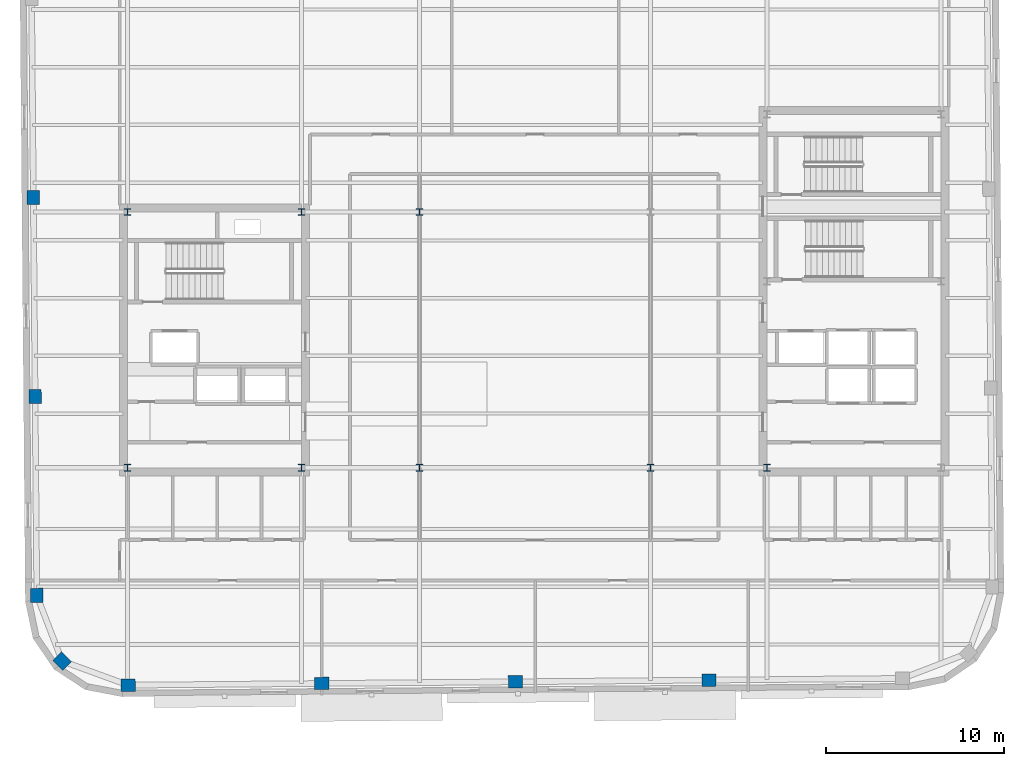
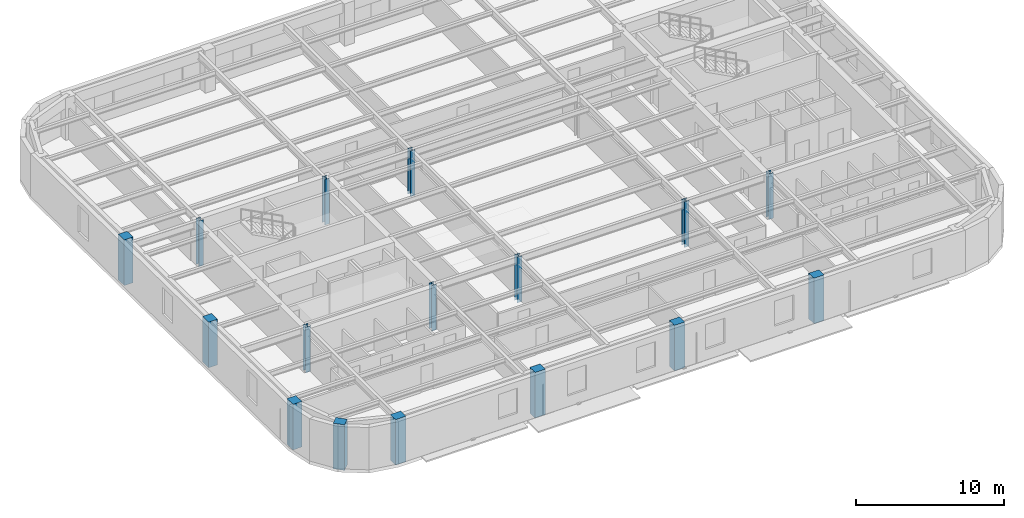
# One storey, part 1 of 13: 16 columns.
"""IFC4 building model written with IfcOpenShell, lengths in metres."""

from ifc_helpers import new_model, si_unit, direction, frame, origin, origin_2d, place, context, subcontext, project, spatial, rectangle, i_section, extrude, material, material_profile, profile_set, type_object, element, save


model = new_model("IFC4")

# Units and contexts
model_context = context("Model", 3, precision=1e-05, world=origin(), true_north=direction((0.0, 1.0)))
body_context = subcontext(model_context, "Body", "Model", "MODEL_VIEW")
ifc_project = project(units=[si_unit("LENGTHUNIT", "METRE"), si_unit("AREAUNIT", "SQUARE_METRE"), si_unit("VOLUMEUNIT", "CUBIC_METRE"), si_unit("PLANEANGLEUNIT", "RADIAN"), si_unit("MASSUNIT", "GRAM", prefix="KILO")], contexts=[model_context])

# Site, building, storey
site_placement = place(None, origin())
site = spatial("IfcSite", under=ifc_project, at=site_placement, CompositionType="ELEMENT")
building_placement = place(site_placement, origin())
building = spatial("IfcBuilding", under=site, at=building_placement, Name="Kolvaren Arena Tower", CompositionType="ELEMENT")
storey_placement = place(building_placement, frame((0.0, 0.0, 278.64990234375)))
storey = spatial("IfcBuildingStorey", under=building, at=storey_placement, Name="L68", CompositionType="ELEMENT", Elevation=278.64990234375)

# Columns
ifc_material_1 = material(Name="Precast concrete C50/60", Category="concrete")
ifc_material_profile_1 = material_profile(ifc_material_1, rectangle(XDim=0.800048828125, YDim=0.699951171875, at=origin_2d()), Name="RC-800x700")
ifc_profile_set_1 = profile_set([ifc_material_profile_1], Name="Precast concrete C50/60")
column_type_1 = type_object("IfcColumnType", Name="EXCOL-Z5", PredefinedType="COLUMN", material=ifc_profile_set_1)
for number, where, z_axis, x_axis, name in (
    (1, (14.591796875, 7.210693359375, -0.27001953125), (0.0, 0.0, 1.0), (0.999961923064, 0.008726535498, 0.0), "Exoskeleton Perimeter Column 01 (L68)"),
    (2, (25.491455078125, 7.3056640625, -0.27001953125), (0.0, 0.0, 1.0), (0.999961923064, 0.008726535498, 0.0), "Exoskeleton Perimeter Column 02 (L68)"),
    (3, (36.39111328125, 7.40087890625, -0.27001953125), (0.0, 0.0, 1.0), (0.999961923064, 0.008726535498, 0.0), "Exoskeleton Perimeter Column 03 (L68)"),
    (4, (47.290771484375, 7.49609375, -0.27001953125), (0.0, 0.0, 1.0), (0.999961923064, 0.008726535498, 0.0), "Exoskeleton Perimeter Column 04 (L68)"),
    (5, (9.252197265625, 34.6650390625, -0.27001953125), (0.0, 0.0, 1.0), (-0.008726535498, 0.999961923064, 0.0), "Exoskeleton Perimeter Column 19 (L68)"),
    (6, (9.349853515625, 23.465576171875, -0.27001953125), (0.0, 0.0, 1.0), (-0.008726535498, 0.999961923064, 0.0), "Exoskeleton Perimeter Column 20 (L68)"),
    (7, (9.447509765625, 12.265869140625, -0.27001953125), (0.0, 0.0, 1.0), (-0.008726535498, 0.999961923064, 0.0), "Exoskeleton Perimeter Column 21 (L68)"),
    (8, (10.87109375, 8.5693359375, -0.27001953125), (0.0, 0.0, 1.0), (-0.713250449154, 0.7009092643, 0.0), "Exoskeleton Perimeter Column 22 (L68)"),
):
    element("IfcColumn", number, at=place(storey_placement, frame(where, z_axis=z_axis, x_axis=x_axis)), inside=storey, type_object=column_type_1, Name=name, PredefinedType="COLUMN", context=body_context, shape_type="SweptSolid", body=[
        extrude(rectangle(XDim=0.800048828125, YDim=0.699951171875, at=origin_2d()), origin(), (0.0, 0.0, 1.0), 3.75),
    ])
ifc_material_2 = material(Name="Steel ASTM A913 Grade 65", Category="steel")
ifc_material_profile_2 = material_profile(ifc_material_2, i_section(OverallWidth=0.3740234375, OverallDepth=0.3720703125, WebThickness=0.016357421875, FlangeThickness=0.026123046875, FilletRadius=0.02001953125, at=origin_2d()), Name="W360x196")
ifc_profile_set_2 = profile_set([ifc_material_profile_2], Name="Steel ASTM A913 Grade 65")
column_type_2 = type_object("IfcColumnType", Name="SCOL-Z5", PredefinedType="COLUMN", material=ifc_profile_set_2)
for number, where, z_axis, x_axis, name in (
    (9, (14.550048828125, 19.449951171875, -0.27001953125), (0.0, 0.0, 1.0), (1.0, 0.0, 0.0), "Core Boundary Column WC-SW (L68)"),
    (10, (24.35009765625, 19.449951171875, -0.27001953125), (0.0, 0.0, 1.0), (1.0, 0.0, 0.0), "Core Boundary Column WC-SE (L68)"),
    (11, (14.550048828125, 33.85009765625, -0.27001953125), (0.0, 0.0, 1.0), (1.0, 0.0, 0.0), "Core Boundary Column WC-NW (L68)"),
    (12, (24.35009765625, 33.85009765625, -0.27001953125), (0.0, 0.0, 1.0), (1.0, 0.0, 0.0), "Core Boundary Column WC-NE (L68)"),
    (13, (50.550048828125, 19.449951171875, -0.27001953125), (0.0, 0.0, 1.0), (1.0, 0.0, 0.0), "Core Boundary Column EC-SW (L68)"),
    (14, (31.0, 19.449951171875, -0.27001953125), (0.0, 0.0, 1.0), (1.0, 0.0, 0.0), "Interior Gravity Column TC-SW (L68)"),
    (15, (44.0, 19.449951171875, -0.27001953125), (0.0, 0.0, 1.0), (1.0, 0.0, 0.0), "Interior Gravity Column TC-SE (L68)"),
    (16, (31.0, 33.85009765625, -0.27001953125), (0.0, 0.0, 1.0), (1.0, 0.0, 0.0), "Interior Gravity Column TC-NW (L68)"),
):
    element("IfcColumn", number, at=place(storey_placement, frame(where, z_axis=z_axis, x_axis=x_axis)), inside=storey, type_object=column_type_2, Name=name, PredefinedType="COLUMN", context=body_context, shape_type="SweptSolid", body=[
        extrude(i_section(OverallWidth=0.3740234375, OverallDepth=0.3720703125, WebThickness=0.016357421875, FlangeThickness=0.026123046875, FilletRadius=0.02001953125, at=origin_2d()), origin(), (0.0, 0.0, 1.0), 3.75),
    ])

save(model, "model.ifc")
